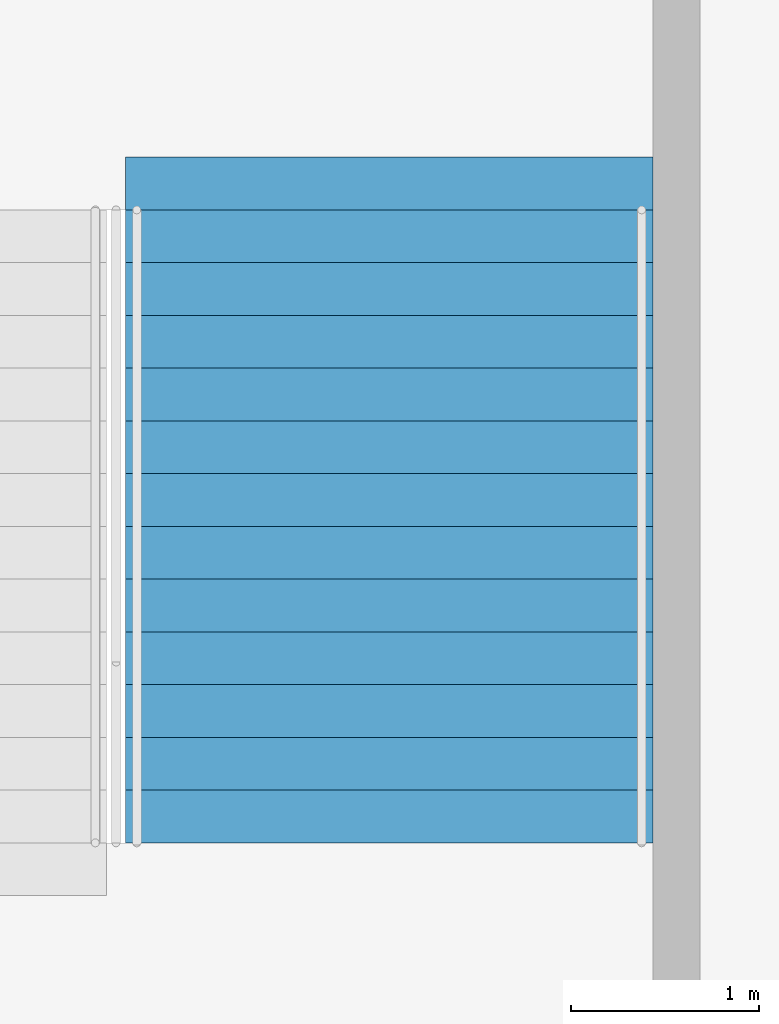
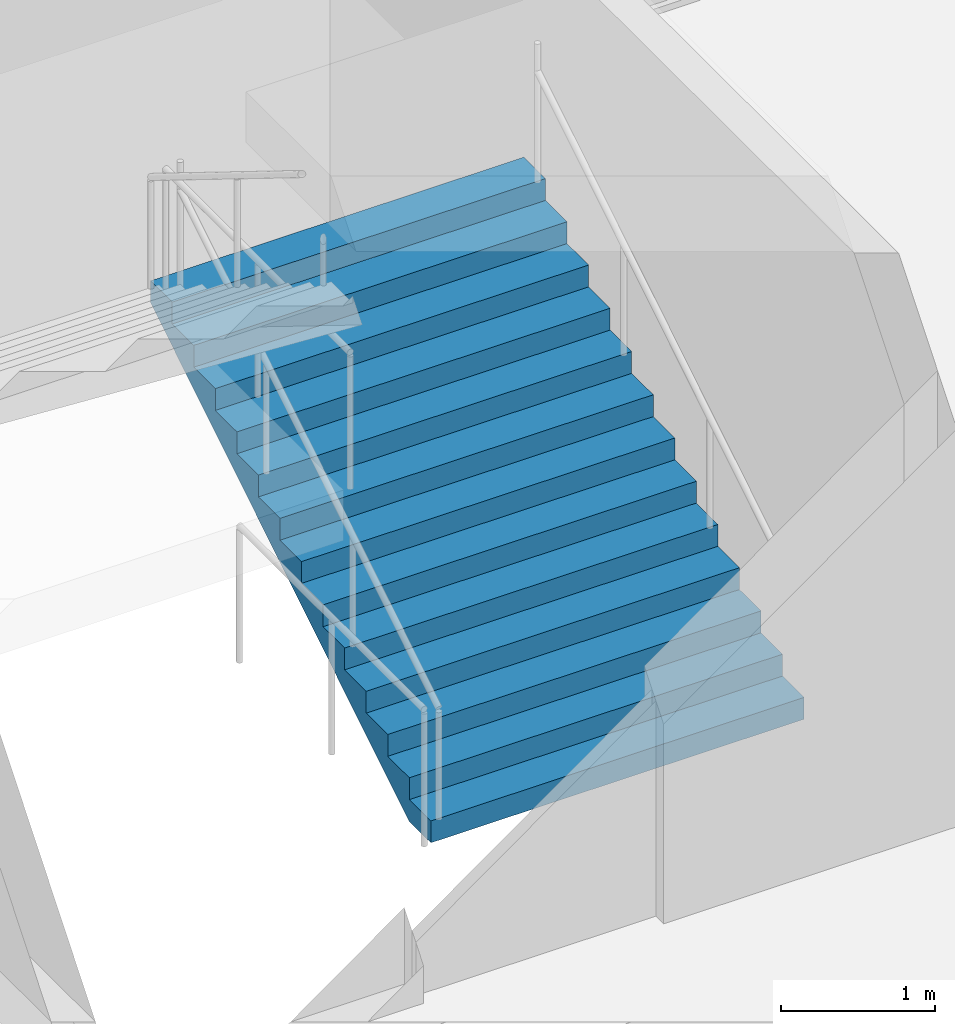
# One storey, part 210 of 249: 1 stair flight, 1 element without a shape of its own.
"""IFC4 building model written with IfcOpenShell, lengths in metres."""

from ifc_helpers import new_model, si_unit, direction, frame, origin, place, context, subcontext, project, spatial, faceted_brep, material, type_object, element, aggregate, save


model = new_model("IFC4")

# Units and contexts
model_context = context("Model", 3, precision=1e-05, world=origin(), true_north=direction((0.0, 1.0)))
body_context = subcontext(model_context, "Body", "Model", "MODEL_VIEW")
ifc_project = project(units=[si_unit("LENGTHUNIT", "METRE"), si_unit("AREAUNIT", "SQUARE_METRE"), si_unit("VOLUMEUNIT", "CUBIC_METRE"), si_unit("PLANEANGLEUNIT", "RADIAN"), si_unit("MASSUNIT", "GRAM", prefix="KILO")], contexts=[model_context])

# Site, building, storey
site_placement = place(None, origin())
site = spatial("IfcSite", under=ifc_project, at=site_placement, CompositionType="ELEMENT")
building_placement = place(site_placement, origin())
building = spatial("IfcBuilding", under=site, at=building_placement, Name="Ogive Plaza Stadium", CompositionType="ELEMENT")
storey_placement = place(building_placement, frame((0.0, 0.0, 13.5)))
storey = spatial("IfcBuildingStorey", under=building, at=storey_placement, Name="L03", CompositionType="ELEMENT", Elevation=13.5)

# Stair, stair flight
ifc_material_1 = material(Name="Concrete C40/50", Category="concrete")
stair_type = type_object("IfcStairType", Name="Exit stair", PredefinedType="STRAIGHT_RUN_STAIR", material=ifc_material_1)
stair_placement = place(storey_placement, origin())
stair = element("IfcStair", 1, at=stair_placement, inside=storey, type_object=stair_type, Name="Exit stair ST32A L03 to L04", PredefinedType="STRAIGHT_RUN_STAIR")
ifc_material_2 = material(Name="Concrete C40/50", Category="concrete")
stair_flight_type = type_object("IfcStairFlightType", Name="Exit stair flight", PredefinedType="STRAIGHT", material=ifc_material_2)
stair_flight_placement = place(storey_placement, frame((-29.574951171875, 94.85009765625, 0.0), z_axis=(0.0, 0.0, 1.0), x_axis=(0.0, 1.0, 0.0)))
stair_flight = element("IfcStairFlight", 2, at=stair_flight_placement, type_object=stair_flight_type, Name="ST32A flight 1", NumberOfRisers=13, NumberOfTreads=12, PredefinedType="STRAIGHT", RiserHeight=0.173076923, TreadLength=0.28, context=body_context, shape_type="Brep", body=[
    faceted_brep([(0.28515625, -1.39990234375, 0.0), (3.639892578125, -1.39990234375, 2.07373046875), (3.639892578125, -1.39990234375, 2.25), (3.360107421875, -1.39990234375, 2.25), (3.360107421875, -1.39990234375, 2.076904296875), (3.080078125, -1.39990234375, 2.076904296875), (3.080078125, -1.39990234375, 1.90380859375), (2.800048828125, -1.39990234375, 1.90380859375), (2.800048828125, -1.39990234375, 1.730712890625), (2.52001953125, -1.39990234375, 1.730712890625), (2.52001953125, -1.39990234375, 1.5576171875), (2.239990234375, -1.39990234375, 1.5576171875), (2.239990234375, -1.39990234375, 1.384521484375), (1.9599609375, -1.39990234375, 1.384521484375), (1.9599609375, -1.39990234375, 1.21142578125), (1.679931640625, -1.39990234375, 1.21142578125), (1.679931640625, -1.39990234375, 1.03857421875), (1.39990234375, -1.39990234375, 1.03857421875), (1.39990234375, -1.39990234375, 0.865478515625), (1.1201171875, -1.39990234375, 0.865478515625), (1.1201171875, -1.39990234375, 0.6923828125), (0.840087890625, -1.39990234375, 0.6923828125), (0.840087890625, -1.39990234375, 0.519287109375), (0.56005859375, -1.39990234375, 0.519287109375), (0.56005859375, -1.39990234375, 0.34619140625), (0.280029296875, -1.39990234375, 0.34619140625), (0.280029296875, -1.39990234375, 0.173095703125), (0.0, -1.39990234375, 0.173095703125), (0.0, -1.39990234375, 0.0), (0.0, 1.39990234375, 0.0), (0.0, 1.39990234375, 0.173095703125), (0.280029296875, 1.39990234375, 0.173095703125), (0.280029296875, 1.39990234375, 0.34619140625), (0.56005859375, 1.39990234375, 0.34619140625), (0.56005859375, 1.39990234375, 0.519287109375), (0.840087890625, 1.39990234375, 0.519287109375), (0.840087890625, 1.39990234375, 0.6923828125), (1.1201171875, 1.39990234375, 0.6923828125), (1.1201171875, 1.39990234375, 0.865478515625), (1.39990234375, 1.39990234375, 0.865478515625), (1.39990234375, 1.39990234375, 1.03857421875), (1.679931640625, 1.39990234375, 1.03857421875), (1.679931640625, 1.39990234375, 1.21142578125), (1.9599609375, 1.39990234375, 1.21142578125), (1.9599609375, 1.39990234375, 1.384521484375), (2.239990234375, 1.39990234375, 1.384521484375), (2.239990234375, 1.39990234375, 1.5576171875), (2.52001953125, 1.39990234375, 1.5576171875), (2.52001953125, 1.39990234375, 1.730712890625), (2.800048828125, 1.39990234375, 1.730712890625), (2.800048828125, 1.39990234375, 1.90380859375), (3.080078125, 1.39990234375, 1.90380859375), (3.080078125, 1.39990234375, 2.076904296875), (3.360107421875, 1.39990234375, 2.076904296875), (3.360107421875, 1.39990234375, 2.25), (3.639892578125, 1.39990234375, 2.25), (3.639892578125, 1.39990234375, 2.07373046875), (0.28515625, 1.39990234375, 0.0), (0.28515625, -1.0888671875, 0.0), (3.639892578125, -1.0888671875, 2.07373046875), (0.28515625, -0.77783203125, 0.0), (3.639892578125, -0.77783203125, 2.07373046875), (0.28515625, -0.466796875, 0.0), (3.639892578125, -0.466796875, 2.07373046875), (0.28515625, -0.155517578125, 0.0), (3.639892578125, -0.155517578125, 2.07373046875), (0.28515625, 0.155517578125, 0.0), (3.639892578125, 0.155517578125, 2.07373046875), (0.28515625, 0.466796875, 0.0), (3.639892578125, 0.466796875, 2.07373046875), (0.28515625, 0.77783203125, 0.0), (3.639892578125, 0.77783203125, 2.07373046875), (0.28515625, 1.0888671875, 0.0), (3.639892578125, 1.0888671875, 2.07373046875), (3.639892578125, -1.0888671875, 2.25), (3.639892578125, -0.77783203125, 2.25), (3.639892578125, -0.466796875, 2.25), (3.639892578125, -0.155517578125, 2.25), (3.639892578125, 0.155517578125, 2.25), (3.639892578125, 0.466796875, 2.25), (3.639892578125, 0.77783203125, 2.25), (3.639892578125, 1.0888671875, 2.25), (3.360107421875, -1.0888671875, 2.25), (3.360107421875, -0.77783203125, 2.25), (3.360107421875, -0.466796875, 2.25), (3.360107421875, -0.155517578125, 2.25), (3.360107421875, 0.155517578125, 2.25), (3.360107421875, 0.466796875, 2.25), (3.360107421875, 0.77783203125, 2.25), (3.360107421875, 1.0888671875, 2.25), (3.360107421875, -1.0888671875, 2.076904296875), (3.360107421875, -0.77783203125, 2.076904296875), (3.360107421875, -0.466796875, 2.076904296875), (3.360107421875, -0.155517578125, 2.076904296875), (3.360107421875, 0.155517578125, 2.076904296875), (3.360107421875, 0.466796875, 2.076904296875), (3.360107421875, 0.77783203125, 2.076904296875), (3.360107421875, 1.0888671875, 2.076904296875), (3.080078125, -1.0888671875, 2.076904296875), (3.080078125, -0.77783203125, 2.076904296875), (3.080078125, -0.466796875, 2.076904296875), (3.080078125, -0.155517578125, 2.076904296875), (3.080078125, 0.155517578125, 2.076904296875), (3.080078125, 0.466796875, 2.076904296875), (3.080078125, 0.77783203125, 2.076904296875), (3.080078125, 1.0888671875, 2.076904296875), (3.080078125, -1.0888671875, 1.90380859375), (3.080078125, -0.77783203125, 1.90380859375), (3.080078125, -0.466796875, 1.90380859375), (3.080078125, -0.155517578125, 1.90380859375), (3.080078125, 0.155517578125, 1.90380859375), (3.080078125, 0.466796875, 1.90380859375), (3.080078125, 0.77783203125, 1.90380859375), (3.080078125, 1.0888671875, 1.90380859375), (2.800048828125, -1.0888671875, 1.90380859375), (2.800048828125, -0.77783203125, 1.90380859375), (2.800048828125, -0.466796875, 1.90380859375), (2.800048828125, -0.155517578125, 1.90380859375), (2.800048828125, 0.155517578125, 1.90380859375), (2.800048828125, 0.466796875, 1.90380859375), (2.800048828125, 0.77783203125, 1.90380859375), (2.800048828125, 1.0888671875, 1.90380859375), (2.800048828125, -1.0888671875, 1.730712890625), (2.800048828125, -0.77783203125, 1.730712890625), (2.800048828125, -0.466796875, 1.730712890625), (2.800048828125, -0.155517578125, 1.730712890625), (2.800048828125, 0.155517578125, 1.730712890625), (2.800048828125, 0.466796875, 1.730712890625), (2.800048828125, 0.77783203125, 1.730712890625), (2.800048828125, 1.0888671875, 1.730712890625), (2.52001953125, -1.0888671875, 1.730712890625), (2.52001953125, -0.77783203125, 1.730712890625), (2.52001953125, -0.466796875, 1.730712890625), (2.52001953125, -0.155517578125, 1.730712890625), (2.52001953125, 0.155517578125, 1.730712890625), (2.52001953125, 0.466796875, 1.730712890625), (2.52001953125, 0.77783203125, 1.730712890625), (2.52001953125, 1.0888671875, 1.730712890625), (2.52001953125, -1.0888671875, 1.5576171875), (2.52001953125, -0.77783203125, 1.5576171875), (2.52001953125, -0.466796875, 1.5576171875), (2.52001953125, -0.155517578125, 1.5576171875), (2.52001953125, 0.155517578125, 1.5576171875), (2.52001953125, 0.466796875, 1.5576171875), (2.52001953125, 0.77783203125, 1.5576171875), (2.52001953125, 1.0888671875, 1.5576171875), (2.239990234375, -1.0888671875, 1.5576171875), (2.239990234375, -0.77783203125, 1.5576171875), (2.239990234375, -0.466796875, 1.5576171875), (2.239990234375, -0.155517578125, 1.5576171875), (2.239990234375, 0.155517578125, 1.5576171875), (2.239990234375, 0.466796875, 1.5576171875), (2.239990234375, 0.77783203125, 1.5576171875), (2.239990234375, 1.0888671875, 1.5576171875), (2.239990234375, -1.0888671875, 1.384521484375), (2.239990234375, -0.77783203125, 1.384521484375), (2.239990234375, -0.466796875, 1.384521484375), (2.239990234375, -0.155517578125, 1.384521484375), (2.239990234375, 0.155517578125, 1.384521484375), (2.239990234375, 0.466796875, 1.384521484375), (2.239990234375, 0.77783203125, 1.384521484375), (2.239990234375, 1.0888671875, 1.384521484375), (1.9599609375, -1.0888671875, 1.384521484375), (1.9599609375, -0.77783203125, 1.384521484375), (1.9599609375, -0.466796875, 1.384521484375), (1.9599609375, -0.155517578125, 1.384521484375), (1.9599609375, 0.155517578125, 1.384521484375), (1.9599609375, 0.466796875, 1.384521484375), (1.9599609375, 0.77783203125, 1.384521484375), (1.9599609375, 1.0888671875, 1.384521484375), (1.9599609375, -1.0888671875, 1.21142578125), (1.9599609375, -0.77783203125, 1.21142578125), (1.9599609375, -0.466796875, 1.21142578125), (1.9599609375, -0.155517578125, 1.21142578125), (1.9599609375, 0.155517578125, 1.21142578125), (1.9599609375, 0.466796875, 1.21142578125), (1.9599609375, 0.77783203125, 1.21142578125), (1.9599609375, 1.0888671875, 1.21142578125), (1.679931640625, -1.0888671875, 1.21142578125), (1.679931640625, -0.77783203125, 1.21142578125), (1.679931640625, -0.466796875, 1.21142578125), (1.679931640625, -0.155517578125, 1.21142578125), (1.679931640625, 0.155517578125, 1.21142578125), (1.679931640625, 0.466796875, 1.21142578125), (1.679931640625, 0.77783203125, 1.21142578125), (1.679931640625, 1.0888671875, 1.21142578125), (1.679931640625, -1.0888671875, 1.03857421875), (1.679931640625, -0.77783203125, 1.03857421875), (1.679931640625, -0.466796875, 1.03857421875), (1.679931640625, -0.155517578125, 1.03857421875), (1.679931640625, 0.155517578125, 1.03857421875), (1.679931640625, 0.466796875, 1.03857421875), (1.679931640625, 0.77783203125, 1.03857421875), (1.679931640625, 1.0888671875, 1.03857421875), (1.39990234375, -1.0888671875, 1.03857421875), (1.39990234375, -0.77783203125, 1.03857421875), (1.39990234375, -0.466796875, 1.03857421875), (1.39990234375, -0.155517578125, 1.03857421875), (1.39990234375, 0.155517578125, 1.03857421875), (1.39990234375, 0.466796875, 1.03857421875), (1.39990234375, 0.77783203125, 1.03857421875), (1.39990234375, 1.0888671875, 1.03857421875), (1.39990234375, -1.0888671875, 0.865478515625), (1.39990234375, -0.77783203125, 0.865478515625), (1.39990234375, -0.466796875, 0.865478515625), (1.39990234375, -0.155517578125, 0.865478515625), (1.39990234375, 0.155517578125, 0.865478515625), (1.39990234375, 0.466796875, 0.865478515625), (1.39990234375, 0.77783203125, 0.865478515625), (1.39990234375, 1.0888671875, 0.865478515625), (1.1201171875, -1.0888671875, 0.865478515625), (1.1201171875, -0.77783203125, 0.865478515625), (1.1201171875, -0.466796875, 0.865478515625), (1.1201171875, -0.155517578125, 0.865478515625), (1.1201171875, 0.155517578125, 0.865478515625), (1.1201171875, 0.466796875, 0.865478515625), (1.1201171875, 0.77783203125, 0.865478515625), (1.1201171875, 1.0888671875, 0.865478515625), (1.1201171875, -1.0888671875, 0.6923828125), (1.1201171875, -0.77783203125, 0.6923828125), (1.1201171875, -0.466796875, 0.6923828125), (1.1201171875, -0.155517578125, 0.6923828125), (1.1201171875, 0.155517578125, 0.6923828125), (1.1201171875, 0.466796875, 0.6923828125), (1.1201171875, 0.77783203125, 0.6923828125), (1.1201171875, 1.0888671875, 0.6923828125), (0.840087890625, -1.0888671875, 0.6923828125), (0.840087890625, -0.77783203125, 0.6923828125), (0.840087890625, -0.466796875, 0.6923828125), (0.840087890625, -0.155517578125, 0.6923828125), (0.840087890625, 0.155517578125, 0.6923828125), (0.840087890625, 0.466796875, 0.6923828125), (0.840087890625, 0.77783203125, 0.6923828125), (0.840087890625, 1.0888671875, 0.6923828125), (0.840087890625, -1.0888671875, 0.519287109375), (0.840087890625, -0.77783203125, 0.519287109375), (0.840087890625, -0.466796875, 0.519287109375), (0.840087890625, -0.155517578125, 0.519287109375), (0.840087890625, 0.155517578125, 0.519287109375), (0.840087890625, 0.466796875, 0.519287109375), (0.840087890625, 0.77783203125, 0.519287109375), (0.840087890625, 1.0888671875, 0.519287109375), (0.56005859375, -1.0888671875, 0.519287109375), (0.56005859375, -0.77783203125, 0.519287109375), (0.56005859375, -0.466796875, 0.519287109375), (0.56005859375, -0.155517578125, 0.519287109375), (0.56005859375, 0.155517578125, 0.519287109375), (0.56005859375, 0.466796875, 0.519287109375), (0.56005859375, 0.77783203125, 0.519287109375), (0.56005859375, 1.0888671875, 0.519287109375), (0.56005859375, -1.0888671875, 0.34619140625), (0.56005859375, -0.77783203125, 0.34619140625), (0.56005859375, -0.466796875, 0.34619140625), (0.56005859375, -0.155517578125, 0.34619140625), (0.56005859375, 0.155517578125, 0.34619140625), (0.56005859375, 0.466796875, 0.34619140625), (0.56005859375, 0.77783203125, 0.34619140625), (0.56005859375, 1.0888671875, 0.34619140625), (0.280029296875, -1.0888671875, 0.34619140625), (0.280029296875, -0.77783203125, 0.34619140625), (0.280029296875, -0.466796875, 0.34619140625), (0.280029296875, -0.155517578125, 0.34619140625), (0.280029296875, 0.155517578125, 0.34619140625), (0.280029296875, 0.466796875, 0.34619140625), (0.280029296875, 0.77783203125, 0.34619140625), (0.280029296875, 1.0888671875, 0.34619140625), (0.280029296875, -1.0888671875, 0.173095703125), (0.280029296875, -0.77783203125, 0.173095703125), (0.280029296875, -0.466796875, 0.173095703125), (0.280029296875, -0.155517578125, 0.173095703125), (0.280029296875, 0.155517578125, 0.173095703125), (0.280029296875, 0.466796875, 0.173095703125), (0.280029296875, 0.77783203125, 0.173095703125), (0.280029296875, 1.0888671875, 0.173095703125), (0.0, -1.0888671875, 0.173095703125), (0.0, -0.77783203125, 0.173095703125), (0.0, -0.466796875, 0.173095703125), (0.0, -0.155517578125, 0.173095703125), (0.0, 0.155517578125, 0.173095703125), (0.0, 0.466796875, 0.173095703125), (0.0, 0.77783203125, 0.173095703125), (0.0, 1.0888671875, 0.173095703125), (0.0, -1.0888671875, 0.0), (0.0, -0.77783203125, 0.0), (0.0, -0.466796875, 0.0), (0.0, -0.155517578125, 0.0), (0.0, 0.155517578125, 0.0), (0.0, 0.466796875, 0.0), (0.0, 0.77783203125, 0.0), (0.0, 1.0888671875, 0.0)], [[[0, 1, 2, 3, 4, 5, 6, 7, 8, 9, 10, 11, 12, 13, 14, 15, 16, 17, 18, 19, 20, 21, 22, 23, 24, 25, 26, 27, 28]], [[29, 30, 31, 32, 33, 34, 35, 36, 37, 38, 39, 40, 41, 42, 43, 44, 45, 46, 47, 48, 49, 50, 51, 52, 53, 54, 55, 56, 57]], [[0, 58, 59, 1]], [[58, 60, 61, 59]], [[60, 62, 63, 61]], [[62, 64, 65, 63]], [[64, 66, 67, 65]], [[66, 68, 69, 67]], [[68, 70, 71, 69]], [[70, 72, 73, 71]], [[72, 57, 56, 73]], [[1, 59, 74, 2]], [[59, 61, 75, 74]], [[61, 63, 76, 75]], [[63, 65, 77, 76]], [[65, 67, 78, 77]], [[67, 69, 79, 78]], [[69, 71, 80, 79]], [[71, 73, 81, 80]], [[73, 56, 55, 81]], [[2, 74, 82, 3]], [[74, 75, 83, 82]], [[75, 76, 84, 83]], [[76, 77, 85, 84]], [[77, 78, 86, 85]], [[78, 79, 87, 86]], [[79, 80, 88, 87]], [[80, 81, 89, 88]], [[81, 55, 54, 89]], [[3, 82, 90, 4]], [[82, 83, 91, 90]], [[83, 84, 92, 91]], [[84, 85, 93, 92]], [[85, 86, 94, 93]], [[86, 87, 95, 94]], [[87, 88, 96, 95]], [[88, 89, 97, 96]], [[89, 54, 53, 97]], [[4, 90, 98, 5]], [[90, 91, 99, 98]], [[91, 92, 100, 99]], [[92, 93, 101, 100]], [[93, 94, 102, 101]], [[94, 95, 103, 102]], [[95, 96, 104, 103]], [[96, 97, 105, 104]], [[97, 53, 52, 105]], [[5, 98, 106, 6]], [[98, 99, 107, 106]], [[99, 100, 108, 107]], [[100, 101, 109, 108]], [[101, 102, 110, 109]], [[102, 103, 111, 110]], [[103, 104, 112, 111]], [[104, 105, 113, 112]], [[105, 52, 51, 113]], [[6, 106, 114, 7]], [[106, 107, 115, 114]], [[107, 108, 116, 115]], [[108, 109, 117, 116]], [[109, 110, 118, 117]], [[110, 111, 119, 118]], [[111, 112, 120, 119]], [[112, 113, 121, 120]], [[113, 51, 50, 121]], [[7, 114, 122, 8]], [[114, 115, 123, 122]], [[115, 116, 124, 123]], [[116, 117, 125, 124]], [[117, 118, 126, 125]], [[118, 119, 127, 126]], [[119, 120, 128, 127]], [[120, 121, 129, 128]], [[121, 50, 49, 129]], [[8, 122, 130, 9]], [[122, 123, 131, 130]], [[123, 124, 132, 131]], [[124, 125, 133, 132]], [[125, 126, 134, 133]], [[126, 127, 135, 134]], [[127, 128, 136, 135]], [[128, 129, 137, 136]], [[129, 49, 48, 137]], [[9, 130, 138, 10]], [[130, 131, 139, 138]], [[131, 132, 140, 139]], [[132, 133, 141, 140]], [[133, 134, 142, 141]], [[134, 135, 143, 142]], [[135, 136, 144, 143]], [[136, 137, 145, 144]], [[137, 48, 47, 145]], [[10, 138, 146, 11]], [[138, 139, 147, 146]], [[139, 140, 148, 147]], [[140, 141, 149, 148]], [[141, 142, 150, 149]], [[142, 143, 151, 150]], [[143, 144, 152, 151]], [[144, 145, 153, 152]], [[145, 47, 46, 153]], [[11, 146, 154, 12]], [[146, 147, 155, 154]], [[147, 148, 156, 155]], [[148, 149, 157, 156]], [[149, 150, 158, 157]], [[150, 151, 159, 158]], [[151, 152, 160, 159]], [[152, 153, 161, 160]], [[153, 46, 45, 161]], [[12, 154, 162, 13]], [[154, 155, 163, 162]], [[155, 156, 164, 163]], [[156, 157, 165, 164]], [[157, 158, 166, 165]], [[158, 159, 167, 166]], [[159, 160, 168, 167]], [[160, 161, 169, 168]], [[161, 45, 44, 169]], [[13, 162, 170, 14]], [[162, 163, 171, 170]], [[163, 164, 172, 171]], [[164, 165, 173, 172]], [[165, 166, 174, 173]], [[166, 167, 175, 174]], [[167, 168, 176, 175]], [[168, 169, 177, 176]], [[169, 44, 43, 177]], [[14, 170, 178, 15]], [[170, 171, 179, 178]], [[171, 172, 180, 179]], [[172, 173, 181, 180]], [[173, 174, 182, 181]], [[174, 175, 183, 182]], [[175, 176, 184, 183]], [[176, 177, 185, 184]], [[177, 43, 42, 185]], [[15, 178, 186, 16]], [[178, 179, 187, 186]], [[179, 180, 188, 187]], [[180, 181, 189, 188]], [[181, 182, 190, 189]], [[182, 183, 191, 190]], [[183, 184, 192, 191]], [[184, 185, 193, 192]], [[185, 42, 41, 193]], [[16, 186, 194, 17]], [[186, 187, 195, 194]], [[187, 188, 196, 195]], [[188, 189, 197, 196]], [[189, 190, 198, 197]], [[190, 191, 199, 198]], [[191, 192, 200, 199]], [[192, 193, 201, 200]], [[193, 41, 40, 201]], [[17, 194, 202, 18]], [[194, 195, 203, 202]], [[195, 196, 204, 203]], [[196, 197, 205, 204]], [[197, 198, 206, 205]], [[198, 199, 207, 206]], [[199, 200, 208, 207]], [[200, 201, 209, 208]], [[201, 40, 39, 209]], [[18, 202, 210, 19]], [[202, 203, 211, 210]], [[203, 204, 212, 211]], [[204, 205, 213, 212]], [[205, 206, 214, 213]], [[206, 207, 215, 214]], [[207, 208, 216, 215]], [[208, 209, 217, 216]], [[209, 39, 38, 217]], [[19, 210, 218, 20]], [[210, 211, 219, 218]], [[211, 212, 220, 219]], [[212, 213, 221, 220]], [[213, 214, 222, 221]], [[214, 215, 223, 222]], [[215, 216, 224, 223]], [[216, 217, 225, 224]], [[217, 38, 37, 225]], [[20, 218, 226, 21]], [[218, 219, 227, 226]], [[219, 220, 228, 227]], [[220, 221, 229, 228]], [[221, 222, 230, 229]], [[222, 223, 231, 230]], [[223, 224, 232, 231]], [[224, 225, 233, 232]], [[225, 37, 36, 233]], [[21, 226, 234, 22]], [[226, 227, 235, 234]], [[227, 228, 236, 235]], [[228, 229, 237, 236]], [[229, 230, 238, 237]], [[230, 231, 239, 238]], [[231, 232, 240, 239]], [[232, 233, 241, 240]], [[233, 36, 35, 241]], [[22, 234, 242, 23]], [[234, 235, 243, 242]], [[235, 236, 244, 243]], [[236, 237, 245, 244]], [[237, 238, 246, 245]], [[238, 239, 247, 246]], [[239, 240, 248, 247]], [[240, 241, 249, 248]], [[241, 35, 34, 249]], [[23, 242, 250, 24]], [[242, 243, 251, 250]], [[243, 244, 252, 251]], [[244, 245, 253, 252]], [[245, 246, 254, 253]], [[246, 247, 255, 254]], [[247, 248, 256, 255]], [[248, 249, 257, 256]], [[249, 34, 33, 257]], [[24, 250, 258, 25]], [[250, 251, 259, 258]], [[251, 252, 260, 259]], [[252, 253, 261, 260]], [[253, 254, 262, 261]], [[254, 255, 263, 262]], [[255, 256, 264, 263]], [[256, 257, 265, 264]], [[257, 33, 32, 265]], [[25, 258, 266, 26]], [[258, 259, 267, 266]], [[259, 260, 268, 267]], [[260, 261, 269, 268]], [[261, 262, 270, 269]], [[262, 263, 271, 270]], [[263, 264, 272, 271]], [[264, 265, 273, 272]], [[265, 32, 31, 273]], [[26, 266, 274, 27]], [[266, 267, 275, 274]], [[267, 268, 276, 275]], [[268, 269, 277, 276]], [[269, 270, 278, 277]], [[270, 271, 279, 278]], [[271, 272, 280, 279]], [[272, 273, 281, 280]], [[273, 31, 30, 281]], [[27, 274, 282, 28]], [[274, 275, 283, 282]], [[275, 276, 284, 283]], [[276, 277, 285, 284]], [[277, 278, 286, 285]], [[278, 279, 287, 286]], [[279, 280, 288, 287]], [[280, 281, 289, 288]], [[281, 30, 29, 289]], [[28, 282, 58, 0]], [[282, 283, 60, 58]], [[283, 284, 62, 60]], [[284, 285, 64, 62]], [[285, 286, 66, 64]], [[286, 287, 68, 66]], [[287, 288, 70, 68]], [[288, 289, 72, 70]], [[289, 29, 57, 72]]]),
])
aggregate(stair, [stair_flight])

save(model, "model.ifc")
